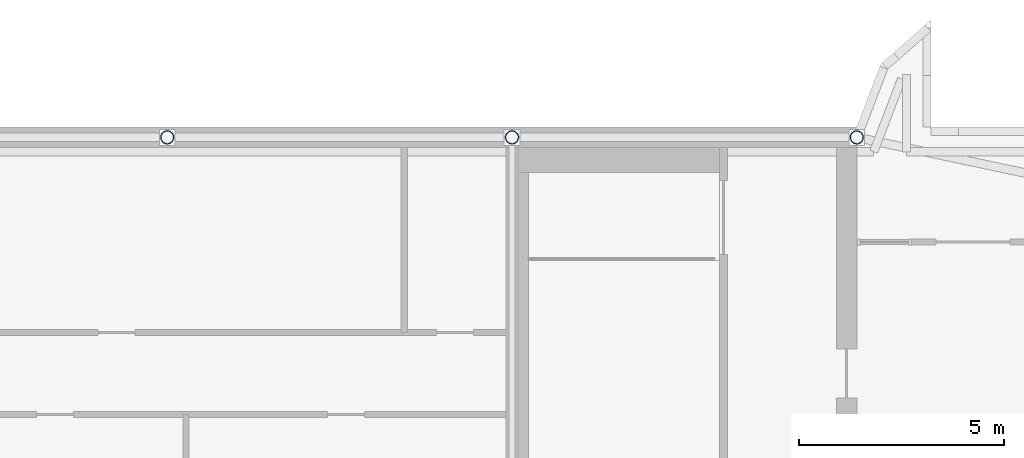
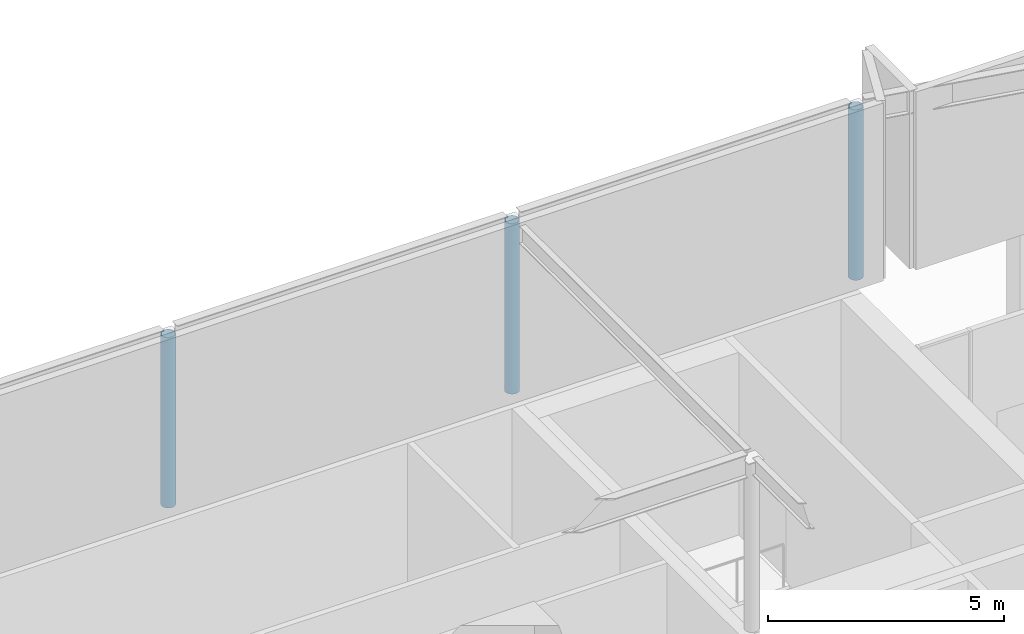
# One storey, part 4 of 25: 3 columns.
"""IFC4 building model written with IfcOpenShell, lengths in metres."""

from ifc_helpers import new_model, si_unit, direction, frame, origin, origin_2d, place, context, subcontext, project, spatial, hollow_circle, extrude, source, transform, mapped, material, material_profile, profile_set, type_object, element, save


model = new_model("IFC4")

# Units and contexts
model_context = context("Model", 3, precision=1e-05, world=origin(), true_north=direction((0.0, 1.0)))
body_context = subcontext(model_context, "Body", "Model", "MODEL_VIEW")
ifc_project = project(units=[si_unit("LENGTHUNIT", "METRE"), si_unit("AREAUNIT", "SQUARE_METRE"), si_unit("VOLUMEUNIT", "CUBIC_METRE"), si_unit("PLANEANGLEUNIT", "RADIAN"), si_unit("MASSUNIT", "GRAM", prefix="KILO")], contexts=[model_context])

# Site, building, storey
site_placement = place(None, origin())
site = spatial("IfcSite", under=ifc_project, at=site_placement, CompositionType="ELEMENT")
building_placement = place(site_placement, origin())
building = spatial("IfcBuilding", under=site, at=building_placement, Name="Vanashikhar Sky Hotel", CompositionType="ELEMENT")
storey_placement = place(building_placement, frame((0.0, 0.0, 329.699951171875)))
storey = spatial("IfcBuildingStorey", under=building, at=storey_placement, Name="L78", CompositionType="ELEMENT", Elevation=329.699951171875)

# Columns
ifc_material = material(Name="Steel S355", Category="steel")
ifc_material_profile = material_profile(ifc_material, hollow_circle(Radius=0.162109375, WallThickness=0.011962890625, at=origin_2d()))
ifc_profile_set = profile_set([ifc_material_profile], Name="CHS 324x12 Steel S355")
column_type = type_object("IfcColumnType", Name="CHS 324x12 Steel S355", PredefinedType="COLUMN", material=ifc_profile_set)
shared_shape = source(origin(), body_context, "Body", "SweptSolid", [
    extrude(hollow_circle(Radius=0.162109375, WallThickness=0.011962890625, at=origin_2d()), origin(), (0.0, 0.0, 1.0), 4.400146484375),
])
for number, where, z_axis, x_axis, name in (
    (1, (58.800048828125, 41.75, 5.0), (0.0, 0.0, 1.0), (1.0, 0.0, 0.0), "CP-L78-R05"),
    (2, (67.199951171875, 41.75, 5.0), (0.0, 0.0, 1.0), (1.0, 0.0, 0.0), "CP-L78-R06"),
    (3, (75.60009765625, 41.75, 5.0), (0.0, 0.0, 1.0), (1.0, 0.0, 0.0), "CP-L78-R07"),
):
    element("IfcColumn", number, at=place(storey_placement, frame(where, z_axis=z_axis, x_axis=x_axis)), inside=storey, type_object=column_type, Name=name, PredefinedType="COLUMN", context=body_context, shape_type="MappedRepresentation", body=[
        mapped(shared_shape, transform((0.0, 0.0, 0.0), scale=1.0)),
    ])

save(model, "model.ifc")
